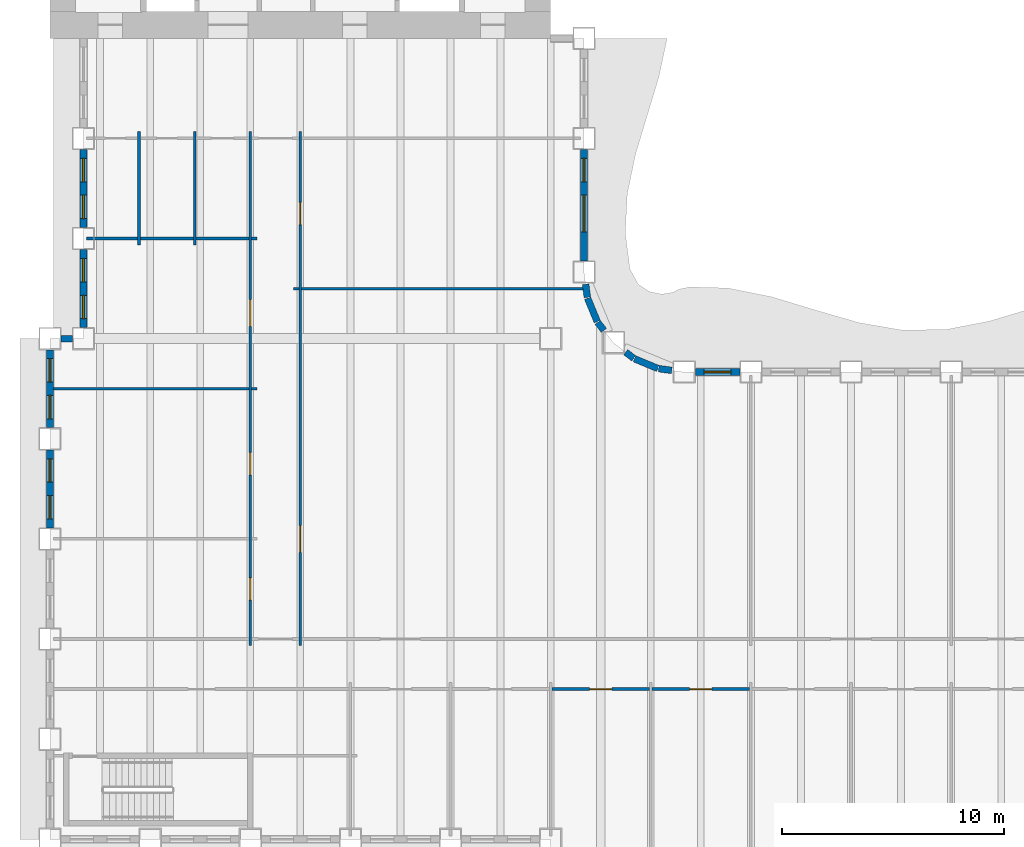
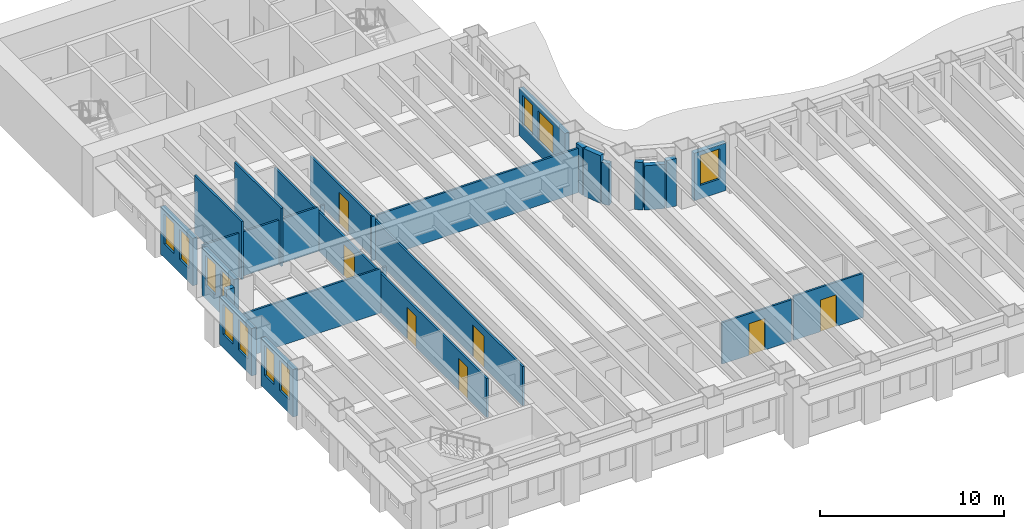
# One storey, part 4 of 16: 27 walls, 11 windows, 7 doors, 18 openings.
"""IFC4 building model written with IfcOpenShell, lengths in metres."""

from ifc_helpers import new_model, si_unit, direction, frame, frame_2d, origin, place, context, subcontext, project, spatial, rectangle, extrude, material, layer, layer_set, type_object, element, fill, save


model = new_model("IFC4")

# Units and contexts
model_context = context("Model", 3, precision=1e-05, world=origin(), true_north=direction((0.0, 1.0)))
body_context = subcontext(model_context, "Body", "Model", "MODEL_VIEW")
ifc_project = project(units=[si_unit("LENGTHUNIT", "METRE"), si_unit("AREAUNIT", "SQUARE_METRE"), si_unit("VOLUMEUNIT", "CUBIC_METRE"), si_unit("PLANEANGLEUNIT", "RADIAN"), si_unit("MASSUNIT", "GRAM", prefix="KILO")], contexts=[model_context])

# Site, building, storey
site_placement = place(None, origin())
site = spatial("IfcSite", under=ifc_project, at=site_placement, CompositionType="ELEMENT")
building_placement = place(site_placement, origin())
building = spatial("IfcBuilding", under=site, at=building_placement, Name="Sennacour Bend Tower", CompositionType="ELEMENT")
storey_placement = place(building_placement, frame((0.0, 0.0, 111.0)))
storey = spatial("IfcBuildingStorey", under=building, at=storey_placement, Name="L25", CompositionType="ELEMENT", Elevation=111.0)

# Walls
ifc_material_1 = material(Name="Plasterboard partition on steel studs", Category="steel")
ifc_layer_1 = layer(ifc_material_1, 0.1201171875, Name="Plasterboard partition on steel studs", Category="steel")
ifc_layer_set_1 = layer_set([ifc_layer_1], Name="Plasterboard partition on steel studs")
wall_type_1 = type_object("IfcWallType", Name="Partition 120", PredefinedType="PARTITIONING", material=ifc_layer_set_1)
for number, where, z_axis, x_axis, name in (
    (1, (4.0, 26.699951171875, 0.0), (0.0, 0.0, 1.0), (0.0, 1.0, 0.0), "P-L25-W004a"),
    (2, (6.5, 26.699951171875, 0.0), (0.0, 0.0, 1.0), (0.0, 1.0, 0.0), "P-L25-W007a"),
):
    element("IfcWall", number, at=place(storey_placement, frame(where, z_axis=z_axis, x_axis=x_axis)), inside=storey, type_object=wall_type_1, Name=name, PredefinedType="PARTITIONING", context=body_context, shape_type="SweptSolid", body=[
        extrude(rectangle(XDim=5.10009765625, YDim=0.1201171875, at=frame_2d((2.550048828125, 0.0))), origin(), (0.0, 0.0, 1.0), 3.85009765625),
    ])

# Wall, openings, doors
wall_1_placement = place(storey_placement, frame((9.0, 8.699951171875, 0.0), z_axis=(0.0, 0.0, 1.0), x_axis=(0.0, 1.0, 0.0)))
wall_1 = element("IfcWall", 3, at=wall_1_placement, inside=storey, type_object=wall_type_1, Name="P-L25-W010a", PredefinedType="PARTITIONING", context=body_context, shape_type="SweptSolid", body=[
    extrude(rectangle(XDim=23.10009765625, YDim=0.1201171875, at=frame_2d((11.550048828125, 0.0))), origin(), (0.0, 0.0, 1.0), 2.60009765625),
])
opening_1_placement = place(wall_1_placement, frame((2.050048828125, 0.0, 0.0)))
opening_1 = element("IfcOpeningElement", 4, at=opening_1_placement, cuts=wall_1, Name="Opening OD2", PredefinedType="OPENING", context=body_context, shape_type="SweptSolid", body=[
    extrude(rectangle(XDim=1.0, YDim=2.10009765625, at=frame_2d((0.5, 1.050048828125))), frame((0.0, 0.070068359375, 0.0), z_axis=(0.0, -1.0, 0.0), x_axis=(1.0, 0.0, 0.0)), (0.0, 0.0, 1.0), 0.14013671875),
])
opening_2_placement = place(wall_1_placement, frame((7.675048828125, 0.0, 0.0)))
opening_2 = element("IfcOpeningElement", 5, at=opening_2_placement, cuts=wall_1, Name="Opening OD2", PredefinedType="OPENING", context=body_context, shape_type="SweptSolid", body=[
    extrude(rectangle(XDim=1.0, YDim=2.10009765625, at=frame_2d((0.5, 1.050048828125))), frame((0.0, 0.070068359375, 0.0), z_axis=(0.0, -1.0, 0.0), x_axis=(1.0, 0.0, 0.0)), (0.0, 0.0, 1.0), 0.14013671875),
])
opening_3_placement = place(wall_1_placement, frame((14.35498046875, 0.0, 0.0)))
opening_3 = element("IfcOpeningElement", 6, at=opening_3_placement, cuts=wall_1, Name="Opening MD", PredefinedType="OPENING", context=body_context, shape_type="SweptSolid", body=[
    extrude(rectangle(XDim=1.199951171875, YDim=2.10009765625, at=frame_2d((0.60009765625, 1.050048828125))), frame((0.0, 0.070068359375, 0.0), z_axis=(0.0, -1.0, 0.0), x_axis=(1.0, 0.0, 0.0)), (0.0, 0.0, 1.0), 0.14013671875),
])
ifc_material_2 = material(Name="Timber", Category="wood")
door_type_1 = type_object("IfcDoorType", Name="DR-MEETING-1200", OperationType="NOTDEFINED", PredefinedType="DOOR", material=ifc_material_2)
door_1_placement = place(opening_3_placement, origin())
door_1 = element("IfcDoor", 7, at=door_1_placement, inside=storey, type_object=door_type_1, Name="Door", OperationType="SINGLE_SWING_RIGHT", OverallHeight=2.10009765625, OverallWidth=1.199951171875, PredefinedType="DOOR", context=body_context, shape_type="SweptSolid", body=[
    extrude(rectangle(XDim=1.199951171875, YDim=2.10009765625, at=frame_2d((0.60009765625, 1.050048828125))), frame((0.0, 0.02490234375, 0.0), z_axis=(0.0, -1.0, 0.0), x_axis=(1.0, 0.0, 0.0)), (0.0, 0.0, 1.0), 0.050048828125),
])
fill(opening_3, door_1)
door_type_2 = type_object("IfcDoorType", Name="DR-OFFICE-1000", OperationType="NOTDEFINED", PredefinedType="DOOR", material=ifc_material_2)
door_2_placement = place(opening_1_placement, origin())
door_2 = element("IfcDoor", 8, at=door_2_placement, inside=storey, type_object=door_type_2, Name="Door", OperationType="SINGLE_SWING_LEFT", OverallHeight=2.10009765625, OverallWidth=1.0, PredefinedType="DOOR", context=body_context, shape_type="SweptSolid", body=[
    extrude(rectangle(XDim=1.0, YDim=2.10009765625, at=frame_2d((0.5, 1.050048828125))), frame((0.0, 0.02490234375, 0.0), z_axis=(0.0, -1.0, 0.0), x_axis=(1.0, 0.0, 0.0)), (0.0, 0.0, 1.0), 0.050048828125),
])
fill(opening_1, door_2)
door_3_placement = place(opening_2_placement, origin())
door_3 = element("IfcDoor", 9, at=door_3_placement, inside=storey, type_object=door_type_2, Name="Door", OperationType="SINGLE_SWING_LEFT", OverallHeight=2.10009765625, OverallWidth=1.0, PredefinedType="DOOR", context=body_context, shape_type="SweptSolid", body=[
    extrude(rectangle(XDim=1.0, YDim=2.10009765625, at=frame_2d((0.5, 1.050048828125))), frame((0.0, 0.02490234375, 0.0), z_axis=(0.0, -1.0, 0.0), x_axis=(1.0, 0.0, 0.0)), (0.0, 0.0, 1.0), 0.050048828125),
])
fill(opening_2, door_3)

wall_2_placement = place(storey_placement, frame((11.25, 8.699951171875, 0.0), z_axis=(0.0, 0.0, 1.0), x_axis=(0.0, 1.0, 0.0)))
wall_2 = element("IfcWall", 10, at=wall_2_placement, inside=storey, type_object=wall_type_1, Name="P-L25-W012a", PredefinedType="PARTITIONING", context=body_context, shape_type="SweptSolid", body=[
    extrude(rectangle(XDim=23.10009765625, YDim=0.1201171875, at=frame_2d((11.550048828125, 0.0))), origin(), (0.0, 0.0, 1.0), 2.60009765625),
])
opening_4_placement = place(wall_2_placement, frame((18.925048828125, 0.0, 0.0)))
opening_4 = element("IfcOpeningElement", 11, at=opening_4_placement, cuts=wall_2, Name="Opening OD2", PredefinedType="OPENING", context=body_context, shape_type="SweptSolid", body=[
    extrude(rectangle(XDim=1.0, YDim=2.10009765625, at=frame_2d((0.5, 1.050048828125))), frame((0.0, 0.070068359375, 0.0), z_axis=(0.0, -1.0, 0.0), x_axis=(1.0, 0.0, 0.0)), (0.0, 0.0, 1.0), 0.14013671875),
])
opening_5_placement = place(wall_2_placement, frame((4.199951171875, 0.0, 0.0)))
opening_5 = element("IfcOpeningElement", 12, at=opening_5_placement, cuts=wall_2, Name="Opening OD", PredefinedType="OPENING", context=body_context, shape_type="SweptSolid", body=[
    extrude(rectangle(XDim=1.199951171875, YDim=2.10009765625, at=frame_2d((0.60009765625, 1.050048828125))), frame((0.0, 0.070068359375, 0.0), z_axis=(0.0, -1.0, 0.0), x_axis=(1.0, 0.0, 0.0)), (0.0, 0.0, 1.0), 0.14013671875),
])
door_4_placement = place(opening_4_placement, origin())
door_4 = element("IfcDoor", 13, at=door_4_placement, inside=storey, type_object=door_type_2, Name="Door", OperationType="SINGLE_SWING_RIGHT", OverallHeight=2.10009765625, OverallWidth=1.0, PredefinedType="DOOR", context=body_context, shape_type="SweptSolid", body=[
    extrude(rectangle(XDim=1.0, YDim=2.10009765625, at=frame_2d((0.5, 1.050048828125))), frame((0.0, 0.02490234375, 0.0), z_axis=(0.0, -1.0, 0.0), x_axis=(1.0, 0.0, 0.0)), (0.0, 0.0, 1.0), 0.050048828125),
])
fill(opening_4, door_4)
door_type_3 = type_object("IfcDoorType", Name="DR-OFFICE-1200", OperationType="NOTDEFINED", PredefinedType="DOOR", material=ifc_material_2)
door_5_placement = place(opening_5_placement, origin())
door_5 = element("IfcDoor", 14, at=door_5_placement, inside=storey, type_object=door_type_3, Name="Door", OperationType="SINGLE_SWING_LEFT", OverallHeight=2.10009765625, OverallWidth=1.199951171875, PredefinedType="DOOR", context=body_context, shape_type="SweptSolid", body=[
    extrude(rectangle(XDim=1.199951171875, YDim=2.10009765625, at=frame_2d((0.60009765625, 1.050048828125))), frame((0.0, 0.02490234375, 0.0), z_axis=(0.0, -1.0, 0.0), x_axis=(1.0, 0.0, 0.0)), (0.0, 0.0, 1.0), 0.050048828125),
])
fill(opening_5, door_5)

# Wall, opening, door
wall_3_placement = place(storey_placement, frame((22.56005859375, 6.75, 0.0), z_axis=(0.0, 0.0, 1.0), x_axis=(1.0, 0.0, 0.0)))
wall_3 = element("IfcWall", 15, at=wall_3_placement, inside=storey, type_object=wall_type_1, Name="P-L25-W056ad", PredefinedType="PARTITIONING", context=body_context, shape_type="SweptSolid", body=[
    extrude(rectangle(XDim=4.3798828125, YDim=0.1201171875, at=frame_2d((2.18994140625, 0.0))), origin(), (0.0, 0.0, 1.0), 2.760009765625),
])
opening_6_placement = place(wall_3_placement, frame((1.68994140625, 0.0, 0.0)))
opening_6 = element("IfcOpeningElement", 16, at=opening_6_placement, cuts=wall_3, Name="Opening OD2", PredefinedType="OPENING", context=body_context, shape_type="SweptSolid", body=[
    extrude(rectangle(XDim=1.0, YDim=2.10009765625, at=frame_2d((0.5, 1.050048828125))), frame((0.0, 0.070068359375, 0.0), z_axis=(0.0, -1.0, 0.0), x_axis=(1.0, 0.0, 0.0)), (0.0, 0.0, 1.0), 0.14013671875),
])
door_6_placement = place(opening_6_placement, origin())
door_6 = element("IfcDoor", 17, at=door_6_placement, inside=storey, type_object=door_type_2, Name="Door", OperationType="SINGLE_SWING_LEFT", OverallHeight=2.10009765625, OverallWidth=1.0, PredefinedType="DOOR", context=body_context, shape_type="SweptSolid", body=[
    extrude(rectangle(XDim=1.0, YDim=2.10009765625, at=frame_2d((0.5, 1.050048828125))), frame((0.0, 0.02490234375, 0.0), z_axis=(0.0, -1.0, 0.0), x_axis=(1.0, 0.0, 0.0)), (0.0, 0.0, 1.0), 0.050048828125),
])
fill(opening_6, door_6)

wall_4_placement = place(storey_placement, frame((27.06005859375, 6.75, 0.0), z_axis=(0.0, 0.0, 1.0), x_axis=(1.0, 0.0, 0.0)))
wall_4 = element("IfcWall", 18, at=wall_4_placement, inside=storey, type_object=wall_type_1, Name="P-L25-W056ae", PredefinedType="PARTITIONING", context=body_context, shape_type="SweptSolid", body=[
    extrude(rectangle(XDim=4.3798828125, YDim=0.1201171875, at=frame_2d((2.18994140625, 0.0))), origin(), (0.0, 0.0, 1.0), 2.93798828125),
])
opening_7_placement = place(wall_4_placement, frame((1.68994140625, 0.0, 0.0)))
opening_7 = element("IfcOpeningElement", 19, at=opening_7_placement, cuts=wall_4, Name="Opening MD2", PredefinedType="OPENING", context=body_context, shape_type="SweptSolid", body=[
    extrude(rectangle(XDim=1.0, YDim=2.10009765625, at=frame_2d((0.5, 1.050048828125))), frame((0.0, 0.070068359375, 0.0), z_axis=(0.0, -1.0, 0.0), x_axis=(1.0, 0.0, 0.0)), (0.0, 0.0, 1.0), 0.14013671875),
])
door_type_4 = type_object("IfcDoorType", Name="DR-MEETING-1000", OperationType="NOTDEFINED", PredefinedType="DOOR", material=ifc_material_2)
door_7_placement = place(opening_7_placement, origin())
door_7 = element("IfcDoor", 20, at=door_7_placement, inside=storey, type_object=door_type_4, Name="Door", OperationType="SINGLE_SWING_LEFT", OverallHeight=2.10009765625, OverallWidth=1.0, PredefinedType="DOOR", context=body_context, shape_type="SweptSolid", body=[
    extrude(rectangle(XDim=1.0, YDim=2.10009765625, at=frame_2d((0.5, 1.050048828125))), frame((0.0, 0.02490234375, 0.0), z_axis=(0.0, -1.0, 0.0), x_axis=(1.0, 0.0, 0.0)), (0.0, 0.0, 1.0), 0.050048828125),
])
fill(opening_7, door_7)

# Walls
wall_5_placement = place(storey_placement, frame((0.14990234375, 20.25, 0.0), z_axis=(0.0, 0.0, 1.0), x_axis=(1.0, 0.0, 0.0)))
element("IfcWall", 21, at=wall_5_placement, inside=storey, type_object=wall_type_1, Name="P-L25-W068aa", PredefinedType="PARTITIONING", context=body_context, shape_type="SweptSolid", body=[
    extrude(rectangle(XDim=8.7900390625, YDim=0.1201171875, at=frame_2d((4.39501953125, 0.0))), origin(), (0.0, 0.0, 1.0), 2.93798828125),
])
for number, where, z_axis, x_axis, name in (
    (22, (9.06005859375, 20.25, 0.0), (0.0, 0.0, 1.0), (1.0, 0.0, 0.0), "P-L25-W068ab"),
    (23, (10.949951171875, 24.75, 0.0), (0.0, 0.0, 1.0), (1.0, 0.0, 0.0), "P-L25-W070aa"),
):
    element("IfcWall", number, at=place(storey_placement, frame(where, z_axis=z_axis, x_axis=x_axis)), inside=storey, type_object=wall_type_1, Name=name, PredefinedType="PARTITIONING", context=body_context, shape_type="SweptSolid", body=[
        extrude(rectangle(XDim=0.239990234375, YDim=0.1201171875, at=frame_2d((0.1201171875, 0.0))), origin(), (0.0, 0.0, 1.0), 2.93798828125),
    ])
wall_6_placement = place(storey_placement, frame((11.31005859375, 24.75, 0.0), z_axis=(0.0, 0.0, 1.0), x_axis=(1.0, 0.0, 0.0)))
element("IfcWall", 24, at=wall_6_placement, inside=storey, type_object=wall_type_1, Name="P-L25-W070ab", PredefinedType="PARTITIONING", context=body_context, shape_type="SweptSolid", body=[
    extrude(rectangle(XDim=12.637451171875, YDim=0.1201171875, at=frame_2d((6.31884765625, 0.0))), origin(), (0.0, 0.0, 1.0), 2.93798828125),
])
wall_7_placement = place(storey_placement, frame((1.64990234375, 27.0, 0.0), z_axis=(0.0, 0.0, 1.0), x_axis=(1.0, 0.0, 0.0)))
element("IfcWall", 25, at=wall_7_placement, inside=storey, type_object=wall_type_1, Name="P-L25-W072aa", PredefinedType="PARTITIONING", context=body_context, shape_type="SweptSolid", body=[
    extrude(rectangle(XDim=2.2900390625, YDim=0.1201171875, at=frame_2d((1.14501953125, 0.0))), origin(), (0.0, 0.0, 1.0), 2.93798828125),
])
for number, where, z_axis, x_axis, name in (
    (26, (4.06005859375, 27.0, 0.0), (0.0, 0.0, 1.0), (1.0, 0.0, 0.0), "P-L25-W072ab"),
    (27, (6.56005859375, 27.0, 0.0), (0.0, 0.0, 1.0), (1.0, 0.0, 0.0), "P-L25-W072ac"),
):
    element("IfcWall", number, at=place(storey_placement, frame(where, z_axis=z_axis, x_axis=x_axis)), inside=storey, type_object=wall_type_1, Name=name, PredefinedType="PARTITIONING", context=body_context, shape_type="SweptSolid", body=[
        extrude(rectangle(XDim=2.3798828125, YDim=0.1201171875, at=frame_2d((1.18994140625, 0.0))), origin(), (0.0, 0.0, 1.0), 2.93798828125),
    ])
wall_8_placement = place(storey_placement, frame((9.06005859375, 27.0, 0.0), z_axis=(0.0, 0.0, 1.0), x_axis=(1.0, 0.0, 0.0)))
element("IfcWall", 28, at=wall_8_placement, inside=storey, type_object=wall_type_1, Name="P-L25-W072ad", PredefinedType="PARTITIONING", context=body_context, shape_type="SweptSolid", body=[
    extrude(rectangle(XDim=0.239990234375, YDim=0.1201171875, at=frame_2d((0.1201171875, 0.0))), origin(), (0.0, 0.0, 1.0), 2.93798828125),
])

# Wall, opening, window
ifc_material_3 = material(Name="Warm limestone cladding", Category="masonry")
ifc_layer_2 = layer(ifc_material_3, 0.050048828125, Name="Warm limestone cladding", Category="masonry")
ifc_material_4 = material(Name="Precast concrete C40/50", Category="concrete")
ifc_layer_3 = layer(ifc_material_4, 0.25, Name="Precast concrete C40/50", Category="concrete")
ifc_layer_set_2 = layer_set([ifc_layer_2, ifc_layer_3], Name="Precast concrete C40/50 with limestone cladding")
wall_type_2 = type_object("IfcWallType", Name="STONE-CLAD PRECAST SPANDREL 300", PredefinedType="STANDARD", material=ifc_layer_set_2)
wall_9_placement = place(storey_placement, frame((31.0, 21.0, 0.0), z_axis=(0.0, 0.0, 1.0), x_axis=(-1.0, 0.0, 0.0)))
wall_9 = element("IfcWall", 29, at=wall_9_placement, inside=storey, type_object=wall_type_2, Name="Stone spandrel and pier wall L25 06.05", PredefinedType="STANDARD", context=body_context, shape_type="SweptSolid", body=[
    extrude(rectangle(XDim=2.0, YDim=0.300048828125, at=frame_2d((1.0, 0.0))), origin(), (0.0, 0.0, 1.0), 3.154052734375),
])
opening_8_placement = place(wall_9_placement, frame((0.39990234375, 0.0, 0.89990234375)))
opening_8 = element("IfcOpeningElement", 30, at=opening_8_placement, cuts=wall_9, Name="Opening W14", PredefinedType="OPENING", context=body_context, shape_type="SweptSolid", body=[
    extrude(rectangle(XDim=1.199951171875, YDim=2.0, at=frame_2d((0.60009765625, 1.0))), frame((0.0, 0.16015625, 0.0), z_axis=(0.0, -1.0, 0.0), x_axis=(1.0, 0.0, 0.0)), (0.0, 0.0, 1.0), 0.320068359375),
])
ifc_material_5 = material(Name="Clear low-emissivity glass", Category="glass")
window_type_1 = type_object("IfcWindowType", Name="WIN-RIBBON-1200x2000", PartitioningType="SINGLE_PANEL", PredefinedType="WINDOW", material=ifc_material_5)
window_1_placement = place(opening_8_placement, origin())
window_1 = element("IfcWindow", 31, at=window_1_placement, inside=storey, type_object=window_type_1, Name="Ribbon window L25 06.05", OverallHeight=2.0, OverallWidth=1.199951171875, PartitioningType="SINGLE_PANEL", PredefinedType="WINDOW", context=body_context, shape_type="SweptSolid", body=[
    extrude(rectangle(XDim=1.199951171875, YDim=2.0, at=frame_2d((0.60009765625, 1.0))), frame((0.0, 0.030029296875, 0.0), z_axis=(0.0, -1.0, 0.0), x_axis=(1.0, 0.0, 0.0)), (0.0, 0.0, 1.0), 0.06005859375),
])
fill(opening_8, window_1)

# Walls
wall_10_placement = place(storey_placement, frame((27.94384765625, 21.0732421875, 0.0), z_axis=(0.0, 0.0, 1.0), x_axis=(-0.991420685839, 0.130709692412, 0.0)))
element("IfcWall", 32, at=wall_10_placement, inside=storey, type_object=wall_type_2, Name="Stone spandrel and pier wall L25 07.00", PredefinedType="STANDARD", context=body_context, shape_type="SweptSolid", body=[
    extrude(rectangle(XDim=0.593994140625, YDim=0.300048828125, at=frame_2d((0.296875, 0.0))), origin(), (0.0, 0.0, 1.0), 3.154052734375),
])
wall_11_placement = place(storey_placement, frame((27.317138671875, 21.160888671875, 0.0), z_axis=(0.0, 0.0, 1.0), x_axis=(-0.923914616768, 0.382598720491, 0.0)))
element("IfcWall", 33, at=wall_11_placement, inside=storey, type_object=wall_type_2, Name="Stone spandrel and pier wall L25 08.00", PredefinedType="STANDARD", context=body_context, shape_type="SweptSolid", body=[
    extrude(rectangle(XDim=1.13525390625, YDim=0.300048828125, at=frame_2d((0.567626953125, 0.0))), origin(), (0.0, 0.0, 1.0), 2.93798828125),
])
wall_12_placement = place(storey_placement, frame((26.234375, 21.614990234375, 0.0), z_axis=(0.0, 0.0, 1.0), x_axis=(-0.793563062559, 0.608488016104, 0.0)))
element("IfcWall", 34, at=wall_12_placement, inside=storey, type_object=wall_type_2, Name="Stone spandrel and pier wall L25 09.00", PredefinedType="STANDARD", context=body_context, shape_type="SweptSolid", body=[
    extrude(rectangle(XDim=0.453857421875, YDim=0.300048828125, at=frame_2d((0.22705078125, 0.0))), origin(), (0.0, 0.0, 1.0), 3.154052734375),
])
wall_13_placement = place(storey_placement, frame((24.89111328125, 22.874267578125, 0.0), z_axis=(0.0, 0.0, 1.0), x_axis=(-0.608488016104, 0.793563062559, 0.0)))
element("IfcWall", 35, at=wall_13_placement, inside=storey, type_object=wall_type_2, Name="Stone spandrel and pier wall L25 10.00", PredefinedType="STANDARD", context=body_context, shape_type="SweptSolid", body=[
    extrude(rectangle(XDim=0.453857421875, YDim=0.300048828125, at=frame_2d((0.22705078125, 0.0))), origin(), (0.0, 0.0, 1.0), 2.760009765625),
])
wall_14_placement = place(storey_placement, frame((24.59521484375, 23.268310546875, 0.0), z_axis=(0.0, 0.0, 1.0), x_axis=(-0.382598720491, 0.923914616768, 0.0)))
element("IfcWall", 36, at=wall_14_placement, inside=storey, type_object=wall_type_2, Name="Stone spandrel and pier wall L25 11.00", PredefinedType="STANDARD", context=body_context, shape_type="SweptSolid", body=[
    extrude(rectangle(XDim=1.13525390625, YDim=0.300048828125, at=frame_2d((0.567626953125, 0.0))), origin(), (0.0, 0.0, 1.0), 3.154052734375),
])
wall_15_placement = place(storey_placement, frame((24.15087890625, 24.35498046875, 0.0), z_axis=(0.0, 0.0, 1.0), x_axis=(-0.130709692412, 0.991420685839, 0.0)))
element("IfcWall", 37, at=wall_15_placement, inside=storey, type_object=wall_type_2, Name="Stone spandrel and pier wall L25 12.00", PredefinedType="STANDARD", context=body_context, shape_type="SweptSolid", body=[
    extrude(rectangle(XDim=0.593994140625, YDim=0.300048828125, at=frame_2d((0.296875, 0.0))), origin(), (0.0, 0.0, 1.0), 3.154052734375),
])

# Wall, openings, windows
wall_16_placement = place(storey_placement, frame((24.0, 26.0, 0.0), z_axis=(0.0, 0.0, 1.0), x_axis=(0.0, 1.0, 0.0)))
wall_16 = element("IfcWall", 38, at=wall_16_placement, inside=storey, type_object=wall_type_2, Name="Stone spandrel and pier wall L25 13.00", PredefinedType="STANDARD", context=body_context, shape_type="SweptSolid", body=[
    extrude(rectangle(XDim=5.0, YDim=0.300048828125, at=frame_2d((2.5, 0.0))), origin(), (0.0, 0.0, 1.0), 3.154052734375),
])
opening_9_placement = place(wall_16_placement, frame((1.300048828125, 0.0, 0.89990234375)))
opening_9 = element("IfcOpeningElement", 39, at=opening_9_placement, cuts=wall_16, Name="Opening W10", PredefinedType="OPENING", context=body_context, shape_type="SweptSolid", body=[
    extrude(rectangle(XDim=1.64990234375, YDim=2.0, at=frame_2d((0.824951171875, 1.0))), frame((0.0, 0.16015625, 0.0), z_axis=(0.0, -1.0, 0.0), x_axis=(1.0, 0.0, 0.0)), (0.0, 0.0, 1.0), 0.320068359375),
])
opening_10_placement = place(wall_16_placement, frame((3.550048828125, 0.0, 0.89990234375)))
opening_10 = element("IfcOpeningElement", 40, at=opening_10_placement, cuts=wall_16, Name="Opening W13", PredefinedType="OPENING", context=body_context, shape_type="SweptSolid", body=[
    extrude(rectangle(XDim=1.050048828125, YDim=2.0, at=frame_2d((0.52490234375, 1.0))), frame((0.0, 0.16015625, 0.0), z_axis=(0.0, -1.0, 0.0), x_axis=(1.0, 0.0, 0.0)), (0.0, 0.0, 1.0), 0.320068359375),
])
window_type_2 = type_object("IfcWindowType", Name="WIN-RIBBON-1050x2000", PartitioningType="SINGLE_PANEL", PredefinedType="WINDOW", material=ifc_material_5)
window_2_placement = place(opening_10_placement, origin())
window_2 = element("IfcWindow", 41, at=window_2_placement, inside=storey, type_object=window_type_2, Name="Ribbon window L25 13.00.1", OverallHeight=2.0, OverallWidth=1.050048828125, PartitioningType="SINGLE_PANEL", PredefinedType="WINDOW", context=body_context, shape_type="SweptSolid", body=[
    extrude(rectangle(XDim=1.050048828125, YDim=2.0, at=frame_2d((0.52490234375, 1.0))), frame((0.0, 0.030029296875, 0.0), z_axis=(0.0, -1.0, 0.0), x_axis=(1.0, 0.0, 0.0)), (0.0, 0.0, 1.0), 0.06005859375),
])
fill(opening_10, window_2)
window_type_3 = type_object("IfcWindowType", Name="WIN-RIBBON-1650x2000", PartitioningType="SINGLE_PANEL", PredefinedType="WINDOW", material=ifc_material_5)
window_3_placement = place(opening_9_placement, origin())
window_3 = element("IfcWindow", 42, at=window_3_placement, inside=storey, type_object=window_type_3, Name="Ribbon window L25 13.00.0", OverallHeight=2.0, OverallWidth=1.64990234375, PartitioningType="SINGLE_PANEL", PredefinedType="WINDOW", context=body_context, shape_type="SweptSolid", body=[
    extrude(rectangle(XDim=1.64990234375, YDim=2.0, at=frame_2d((0.824951171875, 1.0))), frame((0.0, 0.030029296875, 0.0), z_axis=(0.0, -1.0, 0.0), x_axis=(1.0, 0.0, 0.0)), (0.0, 0.0, 1.0), 0.06005859375),
])
fill(opening_9, window_3)

wall_17_placement = place(storey_placement, frame((1.5, 31.0, 0.0), z_axis=(0.0, 0.0, 1.0), x_axis=(0.0, -1.0, 0.0)))
wall_17 = element("IfcWall", 43, at=wall_17_placement, inside=storey, type_object=wall_type_2, Name="Stone spandrel and pier wall L25 19.01", PredefinedType="STANDARD", context=body_context, shape_type="SweptSolid", body=[
    extrude(rectangle(XDim=3.5, YDim=0.300048828125, at=frame_2d((1.75, 0.0))), origin(), (0.0, 0.0, 1.0), 3.154052734375),
])
opening_11_placement = place(wall_17_placement, frame((0.39990234375, 0.0, 0.89990234375)))
opening_11 = element("IfcOpeningElement", 44, at=opening_11_placement, cuts=wall_17, Name="Opening W13", PredefinedType="OPENING", context=body_context, shape_type="SweptSolid", body=[
    extrude(rectangle(XDim=1.050048828125, YDim=2.0, at=frame_2d((0.52490234375, 1.0))), frame((0.0, 0.16015625, 0.0), z_axis=(0.0, -1.0, 0.0), x_axis=(1.0, 0.0, 0.0)), (0.0, 0.0, 1.0), 0.320068359375),
])
opening_12_placement = place(wall_17_placement, frame((2.050048828125, 0.0, 0.89990234375)))
opening_12 = element("IfcOpeningElement", 45, at=opening_12_placement, cuts=wall_17, Name="Opening W13", PredefinedType="OPENING", context=body_context, shape_type="SweptSolid", body=[
    extrude(rectangle(XDim=1.050048828125, YDim=2.0, at=frame_2d((0.52490234375, 1.0))), frame((0.0, 0.16015625, 0.0), z_axis=(0.0, -1.0, 0.0), x_axis=(1.0, 0.0, 0.0)), (0.0, 0.0, 1.0), 0.320068359375),
])
window_4_placement = place(opening_11_placement, origin())
window_4 = element("IfcWindow", 46, at=window_4_placement, inside=storey, type_object=window_type_2, Name="Ribbon window L25 19.01.0", OverallHeight=2.0, OverallWidth=1.050048828125, PartitioningType="SINGLE_PANEL", PredefinedType="WINDOW", context=body_context, shape_type="SweptSolid", body=[
    extrude(rectangle(XDim=1.050048828125, YDim=2.0, at=frame_2d((0.52490234375, 1.0))), frame((0.0, 0.030029296875, 0.0), z_axis=(0.0, -1.0, 0.0), x_axis=(1.0, 0.0, 0.0)), (0.0, 0.0, 1.0), 0.06005859375),
])
fill(opening_11, window_4)
window_5_placement = place(opening_12_placement, origin())
window_5 = element("IfcWindow", 47, at=window_5_placement, inside=storey, type_object=window_type_2, Name="Ribbon window L25 19.01.1", OverallHeight=2.0, OverallWidth=1.050048828125, PartitioningType="SINGLE_PANEL", PredefinedType="WINDOW", context=body_context, shape_type="SweptSolid", body=[
    extrude(rectangle(XDim=1.050048828125, YDim=2.0, at=frame_2d((0.52490234375, 1.0))), frame((0.0, 0.030029296875, 0.0), z_axis=(0.0, -1.0, 0.0), x_axis=(1.0, 0.0, 0.0)), (0.0, 0.0, 1.0), 0.06005859375),
])
fill(opening_12, window_5)

wall_18_placement = place(storey_placement, frame((1.5, 26.5, 0.0), z_axis=(0.0, 0.0, 1.0), x_axis=(0.0, -1.0, 0.0)))
wall_18 = element("IfcWall", 48, at=wall_18_placement, inside=storey, type_object=wall_type_2, Name="Stone spandrel and pier wall L25 19.02", PredefinedType="STANDARD", context=body_context, shape_type="SweptSolid", body=[
    extrude(rectangle(XDim=3.5, YDim=0.300048828125, at=frame_2d((1.75, 0.0))), origin(), (0.0, 0.0, 1.0), 3.154052734375),
])
opening_13_placement = place(wall_18_placement, frame((0.39990234375, 0.0, 0.89990234375)))
opening_13 = element("IfcOpeningElement", 49, at=opening_13_placement, cuts=wall_18, Name="Opening W13", PredefinedType="OPENING", context=body_context, shape_type="SweptSolid", body=[
    extrude(rectangle(XDim=1.050048828125, YDim=2.0, at=frame_2d((0.52490234375, 1.0))), frame((0.0, 0.16015625, 0.0), z_axis=(0.0, -1.0, 0.0), x_axis=(1.0, 0.0, 0.0)), (0.0, 0.0, 1.0), 0.320068359375),
])
opening_14_placement = place(wall_18_placement, frame((2.050048828125, 0.0, 0.89990234375)))
opening_14 = element("IfcOpeningElement", 50, at=opening_14_placement, cuts=wall_18, Name="Opening W13", PredefinedType="OPENING", context=body_context, shape_type="SweptSolid", body=[
    extrude(rectangle(XDim=1.050048828125, YDim=2.0, at=frame_2d((0.52490234375, 1.0))), frame((0.0, 0.16015625, 0.0), z_axis=(0.0, -1.0, 0.0), x_axis=(1.0, 0.0, 0.0)), (0.0, 0.0, 1.0), 0.320068359375),
])
window_6_placement = place(opening_13_placement, origin())
window_6 = element("IfcWindow", 51, at=window_6_placement, inside=storey, type_object=window_type_2, Name="Ribbon window L25 19.02.0", OverallHeight=2.0, OverallWidth=1.050048828125, PartitioningType="SINGLE_PANEL", PredefinedType="WINDOW", context=body_context, shape_type="SweptSolid", body=[
    extrude(rectangle(XDim=1.050048828125, YDim=2.0, at=frame_2d((0.52490234375, 1.0))), frame((0.0, 0.030029296875, 0.0), z_axis=(0.0, -1.0, 0.0), x_axis=(1.0, 0.0, 0.0)), (0.0, 0.0, 1.0), 0.06005859375),
])
fill(opening_13, window_6)
window_7_placement = place(opening_14_placement, origin())
window_7 = element("IfcWindow", 52, at=window_7_placement, inside=storey, type_object=window_type_2, Name="Ribbon window L25 19.02.1", OverallHeight=2.0, OverallWidth=1.050048828125, PartitioningType="SINGLE_PANEL", PredefinedType="WINDOW", context=body_context, shape_type="SweptSolid", body=[
    extrude(rectangle(XDim=1.050048828125, YDim=2.0, at=frame_2d((0.52490234375, 1.0))), frame((0.0, 0.030029296875, 0.0), z_axis=(0.0, -1.0, 0.0), x_axis=(1.0, 0.0, 0.0)), (0.0, 0.0, 1.0), 0.06005859375),
])
fill(opening_14, window_7)

# Wall
wall_19_placement = place(storey_placement, frame((1.0, 22.5, 0.0), z_axis=(0.0, 0.0, 1.0), x_axis=(-1.0, 0.0, 0.0)))
element("IfcWall", 53, at=wall_19_placement, inside=storey, type_object=wall_type_2, Name="Stone spandrel and pier wall L25 20.00", PredefinedType="STANDARD", context=body_context, shape_type="SweptSolid", body=[
    extrude(rectangle(XDim=0.5, YDim=0.300048828125, at=frame_2d((0.25, 0.0))), origin(), (0.0, 0.0, 1.0), 3.154052734375),
])

# Wall, openings, windows
wall_20_placement = place(storey_placement, frame((0.0, 22.0, 0.0), z_axis=(0.0, 0.0, 1.0), x_axis=(0.0, -1.0, 0.0)))
wall_20 = element("IfcWall", 54, at=wall_20_placement, inside=storey, type_object=wall_type_2, Name="Stone spandrel and pier wall L25 21.00", PredefinedType="STANDARD", context=body_context, shape_type="SweptSolid", body=[
    extrude(rectangle(XDim=3.5, YDim=0.300048828125, at=frame_2d((1.75, 0.0))), origin(), (0.0, 0.0, 1.0), 3.154052734375),
])
opening_15_placement = place(wall_20_placement, frame((0.39990234375, 0.0, 0.89990234375)))
opening_15 = element("IfcOpeningElement", 55, at=opening_15_placement, cuts=wall_20, Name="Opening W13", PredefinedType="OPENING", context=body_context, shape_type="SweptSolid", body=[
    extrude(rectangle(XDim=1.050048828125, YDim=2.0, at=frame_2d((0.52490234375, 1.0))), frame((0.0, 0.16015625, 0.0), z_axis=(0.0, -1.0, 0.0), x_axis=(1.0, 0.0, 0.0)), (0.0, 0.0, 1.0), 0.320068359375),
])
opening_16_placement = place(wall_20_placement, frame((2.050048828125, 0.0, 0.89990234375)))
opening_16 = element("IfcOpeningElement", 56, at=opening_16_placement, cuts=wall_20, Name="Opening W13", PredefinedType="OPENING", context=body_context, shape_type="SweptSolid", body=[
    extrude(rectangle(XDim=1.050048828125, YDim=2.0, at=frame_2d((0.52490234375, 1.0))), frame((0.0, 0.16015625, 0.0), z_axis=(0.0, -1.0, 0.0), x_axis=(1.0, 0.0, 0.0)), (0.0, 0.0, 1.0), 0.320068359375),
])
window_8_placement = place(opening_15_placement, origin())
window_8 = element("IfcWindow", 57, at=window_8_placement, inside=storey, type_object=window_type_2, Name="Ribbon window L25 21.00.0", OverallHeight=2.0, OverallWidth=1.050048828125, PartitioningType="SINGLE_PANEL", PredefinedType="WINDOW", context=body_context, shape_type="SweptSolid", body=[
    extrude(rectangle(XDim=1.050048828125, YDim=2.0, at=frame_2d((0.52490234375, 1.0))), frame((0.0, 0.030029296875, 0.0), z_axis=(0.0, -1.0, 0.0), x_axis=(1.0, 0.0, 0.0)), (0.0, 0.0, 1.0), 0.06005859375),
])
fill(opening_15, window_8)
window_9_placement = place(opening_16_placement, origin())
window_9 = element("IfcWindow", 58, at=window_9_placement, inside=storey, type_object=window_type_2, Name="Ribbon window L25 21.00.1", OverallHeight=2.0, OverallWidth=1.050048828125, PartitioningType="SINGLE_PANEL", PredefinedType="WINDOW", context=body_context, shape_type="SweptSolid", body=[
    extrude(rectangle(XDim=1.050048828125, YDim=2.0, at=frame_2d((0.52490234375, 1.0))), frame((0.0, 0.030029296875, 0.0), z_axis=(0.0, -1.0, 0.0), x_axis=(1.0, 0.0, 0.0)), (0.0, 0.0, 1.0), 0.06005859375),
])
fill(opening_16, window_9)

wall_21_placement = place(storey_placement, frame((0.0, 17.5, 0.0), z_axis=(0.0, 0.0, 1.0), x_axis=(0.0, -1.0, 0.0)))
wall_21 = element("IfcWall", 59, at=wall_21_placement, inside=storey, type_object=wall_type_2, Name="Stone spandrel and pier wall L25 21.01", PredefinedType="STANDARD", context=body_context, shape_type="SweptSolid", body=[
    extrude(rectangle(XDim=3.5, YDim=0.300048828125, at=frame_2d((1.75, 0.0))), origin(), (0.0, 0.0, 1.0), 3.154052734375),
])
opening_17_placement = place(wall_21_placement, frame((0.39990234375, 0.0, 0.89990234375)))
opening_17 = element("IfcOpeningElement", 60, at=opening_17_placement, cuts=wall_21, Name="Opening W13", PredefinedType="OPENING", context=body_context, shape_type="SweptSolid", body=[
    extrude(rectangle(XDim=1.050048828125, YDim=2.0, at=frame_2d((0.52490234375, 1.0))), frame((0.0, 0.16015625, 0.0), z_axis=(0.0, -1.0, 0.0), x_axis=(1.0, 0.0, 0.0)), (0.0, 0.0, 1.0), 0.320068359375),
])
opening_18_placement = place(wall_21_placement, frame((2.050048828125, 0.0, 0.89990234375)))
opening_18 = element("IfcOpeningElement", 61, at=opening_18_placement, cuts=wall_21, Name="Opening W13", PredefinedType="OPENING", context=body_context, shape_type="SweptSolid", body=[
    extrude(rectangle(XDim=1.050048828125, YDim=2.0, at=frame_2d((0.52490234375, 1.0))), frame((0.0, 0.16015625, 0.0), z_axis=(0.0, -1.0, 0.0), x_axis=(1.0, 0.0, 0.0)), (0.0, 0.0, 1.0), 0.320068359375),
])
window_10_placement = place(opening_17_placement, origin())
window_10 = element("IfcWindow", 62, at=window_10_placement, inside=storey, type_object=window_type_2, Name="Ribbon window L25 21.01.0", OverallHeight=2.0, OverallWidth=1.050048828125, PartitioningType="SINGLE_PANEL", PredefinedType="WINDOW", context=body_context, shape_type="SweptSolid", body=[
    extrude(rectangle(XDim=1.050048828125, YDim=2.0, at=frame_2d((0.52490234375, 1.0))), frame((0.0, 0.030029296875, 0.0), z_axis=(0.0, -1.0, 0.0), x_axis=(1.0, 0.0, 0.0)), (0.0, 0.0, 1.0), 0.06005859375),
])
fill(opening_17, window_10)
window_11_placement = place(opening_18_placement, origin())
window_11 = element("IfcWindow", 63, at=window_11_placement, inside=storey, type_object=window_type_2, Name="Ribbon window L25 21.01.1", OverallHeight=2.0, OverallWidth=1.050048828125, PartitioningType="SINGLE_PANEL", PredefinedType="WINDOW", context=body_context, shape_type="SweptSolid", body=[
    extrude(rectangle(XDim=1.050048828125, YDim=2.0, at=frame_2d((0.52490234375, 1.0))), frame((0.0, 0.030029296875, 0.0), z_axis=(0.0, -1.0, 0.0), x_axis=(1.0, 0.0, 0.0)), (0.0, 0.0, 1.0), 0.06005859375),
])
fill(opening_18, window_11)

save(model, "model.ifc")
